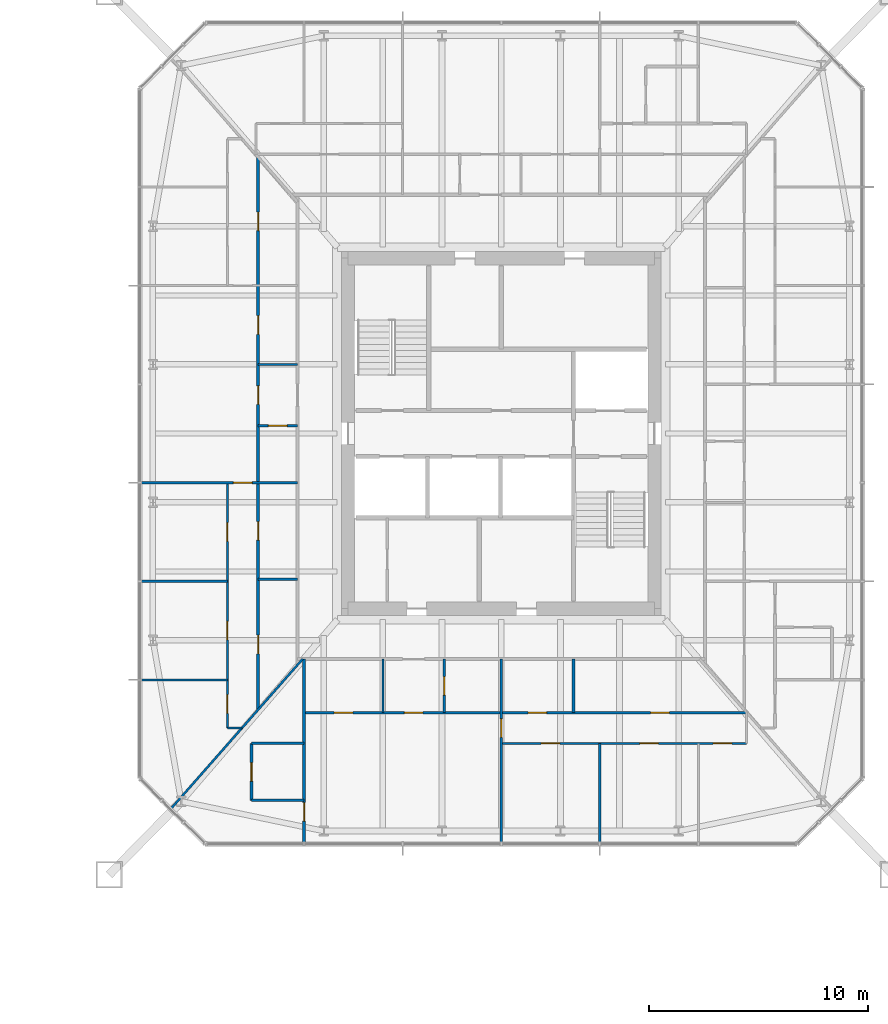
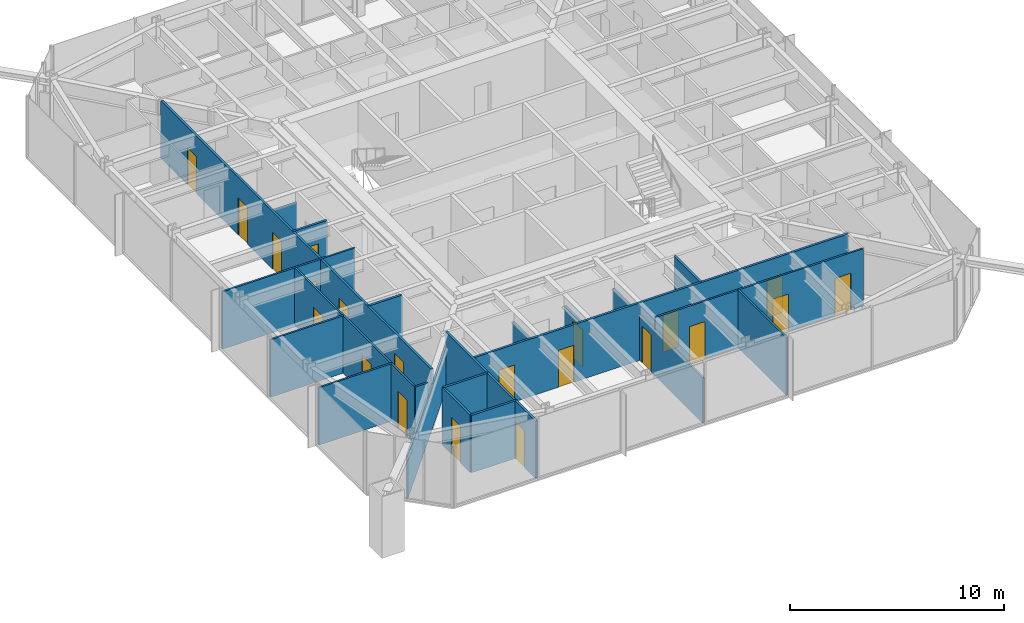
# One storey, part 18 of 26: 21 doors, 21 walls, 21 openings.
"""IFC4 building model written with IfcOpenShell, lengths in metres."""

from ifc_helpers import new_model, si_unit, direction, frame, frame_2d, origin, place, context, subcontext, project, spatial, rectangle, extrude, material, layer, layer_set, type_object, element, fill, save


model = new_model("IFC4")

# Units and contexts
model_context = context("Model", 3, precision=1e-05, world=origin(), true_north=direction((0.0, 1.0)))
body_context = subcontext(model_context, "Body", "Model", "MODEL_VIEW")
ifc_project = project(units=[si_unit("LENGTHUNIT", "METRE"), si_unit("AREAUNIT", "SQUARE_METRE"), si_unit("VOLUMEUNIT", "CUBIC_METRE"), si_unit("PLANEANGLEUNIT", "RADIAN"), si_unit("MASSUNIT", "GRAM", prefix="KILO")], contexts=[model_context])

# Site, building, storey
site_placement = place(None, origin())
site = spatial("IfcSite", under=ifc_project, at=site_placement, CompositionType="ELEMENT")
building_placement = place(site_placement, origin())
building = spatial("IfcBuilding", under=site, at=building_placement, Name="Iwan Alto Co-Living Towers", CompositionType="ELEMENT")
storey_placement = place(building_placement, frame((0.0, 0.0, 39.5)))
storey = spatial("IfcBuildingStorey", under=building, at=storey_placement, Name="L10", CompositionType="ELEMENT", Elevation=39.5)

# Wall, openings, doors
ifc_material_1 = material(Name="Gypsum board")
ifc_layer_1 = layer(ifc_material_1, 0.012451171875, Name="Board", Category="Finish")
ifc_material_2 = material(Name="Steel ASTM A1003 ST33H cold-formed studs", Category="steel")
ifc_layer_2 = layer(ifc_material_2, 0.074951171875, Name="Studs", Category="Framing")
ifc_layer_3 = layer(ifc_material_1, 0.012451171875, Name="Board", Category="Finish")
ifc_layer_set_1 = layer_set([ifc_layer_1, ifc_layer_2, ifc_layer_3], Name="PARTITION 100")
wall_type_1 = type_object("IfcWallType", Name="PARTITION 100", PredefinedType="PARTITIONING", material=ifc_layer_set_1)
wall_1_placement = place(storey_placement, frame((63.0, -14.14990234375, 0.0), z_axis=(0.0, 0.0, 1.0), x_axis=(1.0, 0.0, 0.0)))
wall_1 = element("IfcWall", 1, at=wall_1_placement, inside=storey, type_object=wall_type_1, Name="Partition L10", PredefinedType="PARTITIONING", context=body_context, shape_type="SweptSolid", body=[
    extrude(rectangle(XDim=11.199951171875, YDim=0.10009765625, at=frame_2d((5.60009765625, 0.0))), origin(), (0.0, 0.0, 1.0), 3.27001953125),
])
opening_1_placement = place(wall_1_placement, frame((1.824951171875, 0.0, 0.0)))
opening_1 = element("IfcOpeningElement", 2, at=opening_1_placement, cuts=wall_1, Name="Opening D2", PredefinedType="OPENING", context=body_context, shape_type="SweptSolid", body=[
    extrude(rectangle(XDim=0.85009765625, YDim=2.10009765625, at=frame_2d((0.425048828125, 1.050048828125))), frame((0.0, 0.06005859375, 0.0), z_axis=(0.0, -1.0, 0.0), x_axis=(1.0, 0.0, 0.0)), (0.0, 0.0, 1.0), 0.1201171875),
])
opening_2_placement = place(wall_1_placement, frame((6.324951171875, 0.0, 0.0)))
opening_2 = element("IfcOpeningElement", 3, at=opening_2_placement, cuts=wall_1, Name="Opening D2", PredefinedType="OPENING", context=body_context, shape_type="SweptSolid", body=[
    extrude(rectangle(XDim=0.85009765625, YDim=2.10009765625, at=frame_2d((0.425048828125, 1.050048828125))), frame((0.0, 0.06005859375, 0.0), z_axis=(0.0, -1.0, 0.0), x_axis=(1.0, 0.0, 0.0)), (0.0, 0.0, 1.0), 0.1201171875),
])
opening_3_placement = place(wall_1_placement, frame((9.675048828125, 0.0, 0.0)))
opening_3 = element("IfcOpeningElement", 4, at=opening_3_placement, cuts=wall_1, Name="Opening D2", PredefinedType="OPENING", context=body_context, shape_type="SweptSolid", body=[
    extrude(rectangle(XDim=0.85009765625, YDim=2.10009765625, at=frame_2d((0.425048828125, 1.050048828125))), frame((0.0, 0.06005859375, 0.0), z_axis=(0.0, -1.0, 0.0), x_axis=(1.0, 0.0, 0.0)), (0.0, 0.0, 1.0), 0.1201171875),
])
ifc_material_3 = material(Name="Timber leaf in steel frame", Category="steel")
door_type = type_object("IfcDoorType", Name="ROOM DOOR 850X2100", OperationType="SINGLE_SWING_LEFT", PredefinedType="DOOR", material=ifc_material_3)
door_1_placement = place(opening_1_placement, frame((0.85009765625, 0.0, 0.0), z_axis=(0.0, 0.0, 1.0), x_axis=(-1.0, 0.0, 0.0)))
door_1 = element("IfcDoor", 5, at=door_1_placement, inside=storey, type_object=door_type, Name="Study door L10", OperationType="SINGLE_SWING_RIGHT", OverallHeight=2.10009765625, OverallWidth=0.85009765625, PredefinedType="DOOR", context=body_context, shape_type="SweptSolid", body=[
    extrude(rectangle(XDim=0.85009765625, YDim=2.10009765625, at=frame_2d((0.425048828125, 1.050048828125))), frame((0.0, 0.02490234375, 0.0), z_axis=(0.0, -1.0, 0.0), x_axis=(1.0, 0.0, 0.0)), (0.0, 0.0, 1.0), 0.050048828125),
])
fill(opening_1, door_1)
door_2_placement = place(opening_2_placement, frame((0.85009765625, 0.0, 0.0), z_axis=(0.0, 0.0, 1.0), x_axis=(-1.0, 0.0, 0.0)))
door_2 = element("IfcDoor", 6, at=door_2_placement, inside=storey, type_object=door_type, Name="Bedroom door L10", OperationType="SINGLE_SWING_RIGHT", OverallHeight=2.10009765625, OverallWidth=0.85009765625, PredefinedType="DOOR", context=body_context, shape_type="SweptSolid", body=[
    extrude(rectangle(XDim=0.85009765625, YDim=2.10009765625, at=frame_2d((0.425048828125, 1.050048828125))), frame((0.0, 0.02490234375, 0.0), z_axis=(0.0, -1.0, 0.0), x_axis=(1.0, 0.0, 0.0)), (0.0, 0.0, 1.0), 0.050048828125),
])
fill(opening_2, door_2)
door_3_placement = place(opening_3_placement, frame((0.85009765625, 0.0, 0.0), z_axis=(0.0, 0.0, 1.0), x_axis=(-1.0, 0.0, 0.0)))
door_3 = element("IfcDoor", 7, at=door_3_placement, inside=storey, type_object=door_type, Name="Bedroom door L10", OperationType="SINGLE_SWING_RIGHT", OverallHeight=2.10009765625, OverallWidth=0.85009765625, PredefinedType="DOOR", context=body_context, shape_type="SweptSolid", body=[
    extrude(rectangle(XDim=0.85009765625, YDim=2.10009765625, at=frame_2d((0.425048828125, 1.050048828125))), frame((0.0, 0.02490234375, 0.0), z_axis=(0.0, -1.0, 0.0), x_axis=(1.0, 0.0, 0.0)), (0.0, 0.0, 1.0), 0.050048828125),
])
fill(opening_3, door_3)

# Walls
wall_2_placement = place(storey_placement, frame((50.5, -13.449951171875, 0.0), z_axis=(0.0, 0.0, 1.0), x_axis=(1.0, 0.0, 0.0)))
element("IfcWall", 8, at=wall_2_placement, inside=storey, type_object=wall_type_1, Name="Partition L10", PredefinedType="PARTITIONING", context=body_context, shape_type="SweptSolid", body=[
    extrude(rectangle(XDim=0.6640625, YDim=0.10009765625, at=frame_2d((0.33203125, 0.0))), origin(), (0.0, 0.0, 1.0), 3.27001953125),
])
for number, where, z_axis, x_axis, name in (
    (9, (46.56005859375, -11.25, 0.0), (0.0, 0.0, 1.0), (1.0, 0.0, 0.0), "Partition L10"),
    (10, (46.56005859375, -6.75, 0.0), (0.0, 0.0, 1.0), (1.0, 0.0, 0.0), "Partition L10"),
):
    element("IfcWall", number, at=place(storey_placement, frame(where, z_axis=z_axis, x_axis=x_axis)), inside=storey, type_object=wall_type_1, Name=name, PredefinedType="PARTITIONING", context=body_context, shape_type="SweptSolid", body=[
        extrude(rectangle(XDim=3.93994140625, YDim=0.10009765625, at=frame_2d((1.969970703125, 0.0))), origin(), (0.0, 0.0, 1.0), 3.27001953125),
    ])

# Wall, opening, door
wall_3_placement = place(storey_placement, frame((46.56005859375, -2.25, 0.0), z_axis=(0.0, 0.0, 1.0), x_axis=(1.0, 0.0, 0.0)))
wall_3 = element("IfcWall", 11, at=wall_3_placement, inside=storey, type_object=wall_type_1, Name="Partition L10", PredefinedType="PARTITIONING", context=body_context, shape_type="SweptSolid", body=[
    extrude(rectangle(XDim=7.139892578125, YDim=0.10009765625, at=frame_2d((3.56982421875, 0.0))), origin(), (0.0, 0.0, 1.0), 3.27001953125),
])
opening_4_placement = place(wall_3_placement, frame((4.215087890625, 0.0, 0.0)))
opening_4 = element("IfcOpeningElement", 12, at=opening_4_placement, cuts=wall_3, Name="Opening D2", PredefinedType="OPENING", context=body_context, shape_type="SweptSolid", body=[
    extrude(rectangle(XDim=0.85009765625, YDim=2.10009765625, at=frame_2d((0.425048828125, 1.050048828125))), frame((0.0, 0.06005859375, 0.0), z_axis=(0.0, -1.0, 0.0), x_axis=(1.0, 0.0, 0.0)), (0.0, 0.0, 1.0), 0.1201171875),
])
door_4_placement = place(opening_4_placement, origin())
door_4 = element("IfcDoor", 13, at=door_4_placement, inside=storey, type_object=door_type, Name="Apartment hall door L10", OperationType="SINGLE_SWING_RIGHT", OverallHeight=2.10009765625, OverallWidth=0.85009765625, PredefinedType="DOOR", context=body_context, shape_type="SweptSolid", body=[
    extrude(rectangle(XDim=0.85009765625, YDim=2.10009765625, at=frame_2d((0.425048828125, 1.050048828125))), frame((0.0, 0.02490234375, 0.0), z_axis=(0.0, -1.0, 0.0), x_axis=(1.0, 0.0, 0.0)), (0.0, 0.0, 1.0), 0.050048828125),
])
fill(opening_4, door_4)

# Walls
wall_4_placement = place(storey_placement, frame((51.89990234375, 3.14990234375, 0.0), z_axis=(0.0, 0.0, 1.0), x_axis=(1.0, 0.0, 0.0)))
element("IfcWall", 14, at=wall_4_placement, inside=storey, type_object=wall_type_1, Name="Partition L10", PredefinedType="PARTITIONING", context=body_context, shape_type="SweptSolid", body=[
    extrude(rectangle(XDim=1.800048828125, YDim=0.10009765625, at=frame_2d((0.89990234375, 0.0))), origin(), (0.0, 0.0, 1.0), 2.586669921875),
])
wall_5_placement = place(storey_placement, frame((47.944091796875, -17.10888671875, 0.0), z_axis=(0.0, 0.0, 1.0), x_axis=(0.660638210404, 0.750704439146, 0.0)))
element("IfcWall", 15, at=wall_5_placement, inside=storey, type_object=wall_type_1, Name="Partition L10", PredefinedType="PARTITIONING", context=body_context, shape_type="SweptSolid", body=[
    extrude(rectangle(XDim=9.06982421875, YDim=0.10009765625, at=frame_2d((4.534912109375, 0.0))), origin(), (0.0, 0.0, 1.0), 2.42919921875),
])
wall_6_placement = place(storey_placement, frame((67.5, -18.68994140625, 0.0), z_axis=(0.0, 0.0, 1.0), x_axis=(0.0, 1.0, 0.0)))
element("IfcWall", 16, at=wall_6_placement, inside=storey, type_object=wall_type_1, Name="Partition L10", PredefinedType="PARTITIONING", context=body_context, shape_type="SweptSolid", body=[
    extrude(rectangle(XDim=4.5400390625, YDim=0.10009765625, at=frame_2d((2.27001953125, 0.0))), origin(), (0.0, 0.0, 1.0), 3.27001953125),
])

# Wall, opening, door
wall_7_placement = place(storey_placement, frame((63.0, -18.68994140625, 0.0), z_axis=(0.0, 0.0, 1.0), x_axis=(0.0, 1.0, 0.0)))
wall_7 = element("IfcWall", 17, at=wall_7_placement, inside=storey, type_object=wall_type_1, Name="Partition L10", PredefinedType="PARTITIONING", context=body_context, shape_type="SweptSolid", body=[
    extrude(rectangle(XDim=8.389892578125, YDim=0.10009765625, at=frame_2d((4.19482421875, 0.0))), origin(), (0.0, 0.0, 1.0), 2.586669921875),
])
opening_5_placement = place(wall_7_placement, frame((4.81494140625, 0.0, 0.0)))
opening_5 = element("IfcOpeningElement", 18, at=opening_5_placement, cuts=wall_7, Name="Opening D2", PredefinedType="OPENING", context=body_context, shape_type="SweptSolid", body=[
    extrude(rectangle(XDim=0.85009765625, YDim=2.10009765625, at=frame_2d((0.425048828125, 1.050048828125))), frame((0.0, 0.06005859375, 0.0), z_axis=(0.0, -1.0, 0.0), x_axis=(1.0, 0.0, 0.0)), (0.0, 0.0, 1.0), 0.1201171875),
])
door_5_placement = place(opening_5_placement, origin())
door_5 = element("IfcDoor", 19, at=door_5_placement, inside=storey, type_object=door_type, Name="Apartment hall door L10", OperationType="SINGLE_SWING_RIGHT", OverallHeight=2.10009765625, OverallWidth=0.85009765625, PredefinedType="DOOR", context=body_context, shape_type="SweptSolid", body=[
    extrude(rectangle(XDim=0.85009765625, YDim=2.10009765625, at=frame_2d((0.425048828125, 1.050048828125))), frame((0.0, 0.02490234375, 0.0), z_axis=(0.0, -1.0, 0.0), x_axis=(1.0, 0.0, 0.0)), (0.0, 0.0, 1.0), 0.050048828125),
])
fill(opening_5, door_5)

# Wall
wall_8_placement = place(storey_placement, frame((57.60009765625, -12.75, 0.0), z_axis=(0.0, 0.0, 1.0), x_axis=(0.0, 1.0, 0.0)))
element("IfcWall", 20, at=wall_8_placement, inside=storey, type_object=wall_type_1, Name="Partition L10", PredefinedType="PARTITIONING", context=body_context, shape_type="SweptSolid", body=[
    extrude(rectangle(XDim=2.449951171875, YDim=0.10009765625, at=frame_2d((1.22509765625, 0.0))), origin(), (0.0, 0.0, 1.0), 2.586669921875),
])

# Wall, openings, doors
wall_9_placement = place(storey_placement, frame((50.5, -13.449951171875, 0.0), z_axis=(0.0, 0.0, 1.0), x_axis=(0.0, 1.0, 0.0)))
wall_9 = element("IfcWall", 21, at=wall_9_placement, inside=storey, type_object=wall_type_1, Name="Partition L10", PredefinedType="PARTITIONING", context=body_context, shape_type="SweptSolid", body=[
    extrude(rectangle(XDim=11.199951171875, YDim=0.10009765625, at=frame_2d((5.60009765625, 0.0))), origin(), (0.0, 0.0, 1.0), 3.27001953125),
])
opening_6_placement = place(wall_9_placement, frame((8.52490234375, 0.0, 0.0)))
opening_6 = element("IfcOpeningElement", 22, at=opening_6_placement, cuts=wall_9, Name="Opening D2", PredefinedType="OPENING", context=body_context, shape_type="SweptSolid", body=[
    extrude(rectangle(XDim=0.85009765625, YDim=2.10009765625, at=frame_2d((0.425048828125, 1.050048828125))), frame((0.0, 0.06005859375, 0.0), z_axis=(0.0, -1.0, 0.0), x_axis=(1.0, 0.0, 0.0)), (0.0, 0.0, 1.0), 0.1201171875),
])
opening_7_placement = place(wall_9_placement, frame((4.02490234375, 0.0, 0.0)))
opening_7 = element("IfcOpeningElement", 23, at=opening_7_placement, cuts=wall_9, Name="Opening D2", PredefinedType="OPENING", context=body_context, shape_type="SweptSolid", body=[
    extrude(rectangle(XDim=0.85009765625, YDim=2.10009765625, at=frame_2d((0.425048828125, 1.050048828125))), frame((0.0, 0.06005859375, 0.0), z_axis=(0.0, -1.0, 0.0), x_axis=(1.0, 0.0, 0.0)), (0.0, 0.0, 1.0), 0.1201171875),
])
opening_8_placement = place(wall_9_placement, frame((0.675048828125, 0.0, 0.0)))
opening_8 = element("IfcOpeningElement", 24, at=opening_8_placement, cuts=wall_9, Name="Opening D2", PredefinedType="OPENING", context=body_context, shape_type="SweptSolid", body=[
    extrude(rectangle(XDim=0.85009765625, YDim=2.10009765625, at=frame_2d((0.425048828125, 1.050048828125))), frame((0.0, 0.06005859375, 0.0), z_axis=(0.0, -1.0, 0.0), x_axis=(1.0, 0.0, 0.0)), (0.0, 0.0, 1.0), 0.1201171875),
])
door_6_placement = place(opening_6_placement, origin())
door_6 = element("IfcDoor", 25, at=door_6_placement, inside=storey, type_object=door_type, Name="Family room door L10", OperationType="SINGLE_SWING_LEFT", OverallHeight=2.10009765625, OverallWidth=0.85009765625, PredefinedType="DOOR", context=body_context, shape_type="SweptSolid", body=[
    extrude(rectangle(XDim=0.85009765625, YDim=2.10009765625, at=frame_2d((0.425048828125, 1.050048828125))), frame((0.0, 0.02490234375, 0.0), z_axis=(0.0, -1.0, 0.0), x_axis=(1.0, 0.0, 0.0)), (0.0, 0.0, 1.0), 0.050048828125),
])
fill(opening_6, door_6)
door_7_placement = place(opening_7_placement, origin())
door_7 = element("IfcDoor", 26, at=door_7_placement, inside=storey, type_object=door_type, Name="Bedroom door L10", OperationType="SINGLE_SWING_LEFT", OverallHeight=2.10009765625, OverallWidth=0.85009765625, PredefinedType="DOOR", context=body_context, shape_type="SweptSolid", body=[
    extrude(rectangle(XDim=0.85009765625, YDim=2.10009765625, at=frame_2d((0.425048828125, 1.050048828125))), frame((0.0, 0.02490234375, 0.0), z_axis=(0.0, -1.0, 0.0), x_axis=(1.0, 0.0, 0.0)), (0.0, 0.0, 1.0), 0.050048828125),
])
fill(opening_7, door_7)
door_8_placement = place(opening_8_placement, origin())
door_8 = element("IfcDoor", 27, at=door_8_placement, inside=storey, type_object=door_type, Name="Bedroom door L10", OperationType="SINGLE_SWING_RIGHT", OverallHeight=2.10009765625, OverallWidth=0.85009765625, PredefinedType="DOOR", context=body_context, shape_type="SweptSolid", body=[
    extrude(rectangle(XDim=0.85009765625, YDim=2.10009765625, at=frame_2d((0.425048828125, 1.050048828125))), frame((0.0, 0.02490234375, 0.0), z_axis=(0.0, -1.0, 0.0), x_axis=(1.0, 0.0, 0.0)), (0.0, 0.0, 1.0), 0.050048828125),
])
fill(opening_8, door_8)

# Walls
ifc_material_4 = material(Name="Cement board")
ifc_layer_4 = layer(ifc_material_4, 0.012451171875, Name="Board", Category="Finish")
ifc_layer_5 = layer(ifc_material_2, 0.094970703125, Name="Studs", Category="Framing")
ifc_layer_6 = layer(ifc_material_4, 0.012451171875, Name="Board", Category="Finish")
ifc_layer_set_2 = layer_set([ifc_layer_4, ifc_layer_5, ifc_layer_6], Name="WET AREA PARTITION 120")
wall_type_2 = type_object("IfcWallType", Name="WET AREA PARTITION 120", PredefinedType="PARTITIONING", material=ifc_layer_set_2)
for number, where, z_axis, x_axis, name in (
    (28, (51.60009765625, -16.75, 0.0), (0.0, 0.0, 1.0), (1.0, 0.0, 0.0), "Partition L10"),
    (29, (51.60009765625, -14.14990234375, 0.0), (0.0, 0.0, 1.0), (1.0, 0.0, 0.0), "Partition L10"),
):
    element("IfcWall", number, at=place(storey_placement, frame(where, z_axis=z_axis, x_axis=x_axis)), inside=storey, type_object=wall_type_2, Name=name, PredefinedType="PARTITIONING", context=body_context, shape_type="SweptSolid", body=[
        extrude(rectangle(XDim=2.39990234375, YDim=0.1201171875, at=frame_2d((1.199951171875, 0.0))), origin(), (0.0, 0.0, 1.0), 3.27001953125),
    ])

# Wall, openings, doors
wall_10_placement = place(storey_placement, frame((54.0, -12.75, 0.0), z_axis=(0.0, 0.0, 1.0), x_axis=(1.0, 0.0, 0.0)))
wall_10 = element("IfcWall", 30, at=wall_10_placement, inside=storey, type_object=wall_type_2, Name="Partition L10", PredefinedType="PARTITIONING", context=body_context, shape_type="SweptSolid", body=[
    extrude(rectangle(XDim=20.199951171875, YDim=0.1201171875, at=frame_2d((10.10009765625, 0.0))), origin(), (0.0, 0.0, 1.0), 3.27001953125),
])
opening_9_placement = place(wall_10_placement, frame((1.375, 0.0, 0.0)))
opening_9 = element("IfcOpeningElement", 31, at=opening_9_placement, cuts=wall_10, Name="Opening D2", PredefinedType="OPENING", context=body_context, shape_type="SweptSolid", body=[
    extrude(rectangle(XDim=0.85009765625, YDim=2.10009765625, at=frame_2d((0.425048828125, 1.050048828125))), frame((0.0, 0.070068359375, 0.0), z_axis=(0.0, -1.0, 0.0), x_axis=(1.0, 0.0, 0.0)), (0.0, 0.0, 1.0), 0.14013671875),
])
opening_10_placement = place(wall_10_placement, frame((4.574951171875, 0.0, 0.0)))
opening_10 = element("IfcOpeningElement", 32, at=opening_10_placement, cuts=wall_10, Name="Opening D2", PredefinedType="OPENING", context=body_context, shape_type="SweptSolid", body=[
    extrude(rectangle(XDim=0.85009765625, YDim=2.10009765625, at=frame_2d((0.425048828125, 1.050048828125))), frame((0.0, 0.070068359375, 0.0), z_axis=(0.0, -1.0, 0.0), x_axis=(1.0, 0.0, 0.0)), (0.0, 0.0, 1.0), 0.14013671875),
])
opening_11_placement = place(wall_10_placement, frame((10.22509765625, 0.0, 0.0)))
opening_11 = element("IfcOpeningElement", 33, at=opening_11_placement, cuts=wall_10, Name="Opening D2", PredefinedType="OPENING", context=body_context, shape_type="SweptSolid", body=[
    extrude(rectangle(XDim=0.85009765625, YDim=2.10009765625, at=frame_2d((0.425048828125, 1.050048828125))), frame((0.0, 0.070068359375, 0.0), z_axis=(0.0, -1.0, 0.0), x_axis=(1.0, 0.0, 0.0)), (0.0, 0.0, 1.0), 0.14013671875),
])
opening_12_placement = place(wall_10_placement, frame((15.824951171875, 0.0, 0.0)))
opening_12 = element("IfcOpeningElement", 34, at=opening_12_placement, cuts=wall_10, Name="Opening D2", PredefinedType="OPENING", context=body_context, shape_type="SweptSolid", body=[
    extrude(rectangle(XDim=0.85009765625, YDim=2.10009765625, at=frame_2d((0.425048828125, 1.050048828125))), frame((0.0, 0.070068359375, 0.0), z_axis=(0.0, -1.0, 0.0), x_axis=(1.0, 0.0, 0.0)), (0.0, 0.0, 1.0), 0.14013671875),
])
door_9_placement = place(opening_9_placement, frame((0.85009765625, 0.0, 0.0), z_axis=(0.0, 0.0, 1.0), x_axis=(-1.0, 0.0, 0.0)))
door_9 = element("IfcDoor", 35, at=door_9_placement, inside=storey, type_object=door_type, Name="Kitchen door L10", OperationType="SINGLE_SWING_RIGHT", OverallHeight=2.10009765625, OverallWidth=0.85009765625, PredefinedType="DOOR", context=body_context, shape_type="SweptSolid", body=[
    extrude(rectangle(XDim=0.85009765625, YDim=2.10009765625, at=frame_2d((0.425048828125, 1.050048828125))), frame((0.0, 0.02490234375, 0.0), z_axis=(0.0, -1.0, 0.0), x_axis=(1.0, 0.0, 0.0)), (0.0, 0.0, 1.0), 0.050048828125),
])
fill(opening_9, door_9)
door_10_placement = place(opening_10_placement, frame((0.85009765625, 0.0, 0.0), z_axis=(0.0, 0.0, 1.0), x_axis=(-1.0, 0.0, 0.0)))
door_10 = element("IfcDoor", 36, at=door_10_placement, inside=storey, type_object=door_type, Name="Apartment foyer door L10", OperationType="SINGLE_SWING_LEFT", OverallHeight=2.10009765625, OverallWidth=0.85009765625, PredefinedType="DOOR", context=body_context, shape_type="SweptSolid", body=[
    extrude(rectangle(XDim=0.85009765625, YDim=2.10009765625, at=frame_2d((0.425048828125, 1.050048828125))), frame((0.0, 0.02490234375, 0.0), z_axis=(0.0, -1.0, 0.0), x_axis=(1.0, 0.0, 0.0)), (0.0, 0.0, 1.0), 0.050048828125),
])
fill(opening_10, door_10)
door_11_placement = place(opening_11_placement, origin())
door_11 = element("IfcDoor", 37, at=door_11_placement, inside=storey, type_object=door_type, Name="Utility room door L10", OperationType="SINGLE_SWING_LEFT", OverallHeight=2.10009765625, OverallWidth=0.85009765625, PredefinedType="DOOR", context=body_context, shape_type="SweptSolid", body=[
    extrude(rectangle(XDim=0.85009765625, YDim=2.10009765625, at=frame_2d((0.425048828125, 1.050048828125))), frame((0.0, 0.02490234375, 0.0), z_axis=(0.0, -1.0, 0.0), x_axis=(1.0, 0.0, 0.0)), (0.0, 0.0, 1.0), 0.050048828125),
])
fill(opening_11, door_11)
door_12_placement = place(opening_12_placement, origin())
door_12 = element("IfcDoor", 38, at=door_12_placement, inside=storey, type_object=door_type, Name="Store room door L10", OperationType="SINGLE_SWING_RIGHT", OverallHeight=2.10009765625, OverallWidth=0.85009765625, PredefinedType="DOOR", context=body_context, shape_type="SweptSolid", body=[
    extrude(rectangle(XDim=0.85009765625, YDim=2.10009765625, at=frame_2d((0.425048828125, 1.050048828125))), frame((0.0, 0.02490234375, 0.0), z_axis=(0.0, -1.0, 0.0), x_axis=(1.0, 0.0, 0.0)), (0.0, 0.0, 1.0), 0.050048828125),
])
fill(opening_12, door_12)

# Wall
wall_11_placement = place(storey_placement, frame((51.89990234375, -6.64990234375, 0.0), z_axis=(0.0, 0.0, 1.0), x_axis=(1.0, 0.0, 0.0)))
element("IfcWall", 39, at=wall_11_placement, inside=storey, type_object=wall_type_2, Name="Partition L10", PredefinedType="PARTITIONING", context=body_context, shape_type="SweptSolid", body=[
    extrude(rectangle(XDim=1.800048828125, YDim=0.1201171875, at=frame_2d((0.89990234375, 0.0))), origin(), (0.0, 0.0, 1.0), 3.27001953125),
])

# Wall, opening, door
wall_12_placement = place(storey_placement, frame((51.89990234375, 0.35009765625, 0.0), z_axis=(0.0, 0.0, 1.0), x_axis=(1.0, 0.0, 0.0)))
wall_12 = element("IfcWall", 40, at=wall_12_placement, inside=storey, type_object=wall_type_2, Name="Partition L10", PredefinedType="PARTITIONING", context=body_context, shape_type="SweptSolid", body=[
    extrude(rectangle(XDim=1.800048828125, YDim=0.1201171875, at=frame_2d((0.89990234375, 0.0))), origin(), (0.0, 0.0, 1.0), 3.27001953125),
])
opening_13_placement = place(wall_12_placement, frame((0.47509765625, 0.0, 0.0)))
opening_13 = element("IfcOpeningElement", 41, at=opening_13_placement, cuts=wall_12, Name="Opening D2", PredefinedType="OPENING", context=body_context, shape_type="SweptSolid", body=[
    extrude(rectangle(XDim=0.85009765625, YDim=2.10009765625, at=frame_2d((0.425048828125, 1.050048828125))), frame((0.0, 0.070068359375, 0.0), z_axis=(0.0, -1.0, 0.0), x_axis=(1.0, 0.0, 0.0)), (0.0, 0.0, 1.0), 0.14013671875),
])
door_13_placement = place(opening_13_placement, frame((0.85009765625, 0.0, 0.0), z_axis=(0.0, 0.0, 1.0), x_axis=(-1.0, 0.0, 0.0)))
door_13 = element("IfcDoor", 42, at=door_13_placement, inside=storey, type_object=door_type, Name="Bathroom door L10", OperationType="SINGLE_SWING_RIGHT", OverallHeight=2.10009765625, OverallWidth=0.85009765625, PredefinedType="DOOR", context=body_context, shape_type="SweptSolid", body=[
    extrude(rectangle(XDim=0.85009765625, YDim=2.10009765625, at=frame_2d((0.425048828125, 1.050048828125))), frame((0.0, 0.02490234375, 0.0), z_axis=(0.0, -1.0, 0.0), x_axis=(1.0, 0.0, 0.0)), (0.0, 0.0, 1.0), 0.050048828125),
])
fill(opening_13, door_13)

# Wall
wall_13_placement = place(storey_placement, frame((66.300048828125, -12.75, 0.0), z_axis=(0.0, 0.0, 1.0), x_axis=(0.0, 1.0, 0.0)))
element("IfcWall", 43, at=wall_13_placement, inside=storey, type_object=wall_type_2, Name="Partition L10", PredefinedType="PARTITIONING", context=body_context, shape_type="SweptSolid", body=[
    extrude(rectangle(XDim=2.449951171875, YDim=0.1201171875, at=frame_2d((1.22509765625, 0.0))), origin(), (0.0, 0.0, 1.0), 3.27001953125),
])

# Wall, opening, door
wall_14_placement = place(storey_placement, frame((60.39990234375, -12.75, 0.0), z_axis=(0.0, 0.0, 1.0), x_axis=(0.0, 1.0, 0.0)))
wall_14 = element("IfcWall", 44, at=wall_14_placement, inside=storey, type_object=wall_type_2, Name="Partition L10", PredefinedType="PARTITIONING", context=body_context, shape_type="SweptSolid", body=[
    extrude(rectangle(XDim=2.449951171875, YDim=0.1201171875, at=frame_2d((1.22509765625, 0.0))), origin(), (0.0, 0.0, 1.0), 2.508056640625),
])
opening_14_placement = place(wall_14_placement, frame((0.800048828125, 0.0, 0.0)))
opening_14 = element("IfcOpeningElement", 45, at=opening_14_placement, cuts=wall_14, Name="Opening D2", PredefinedType="OPENING", context=body_context, shape_type="SweptSolid", body=[
    extrude(rectangle(XDim=0.85009765625, YDim=2.10009765625, at=frame_2d((0.425048828125, 1.050048828125))), frame((0.0, 0.070068359375, 0.0), z_axis=(0.0, -1.0, 0.0), x_axis=(1.0, 0.0, 0.0)), (0.0, 0.0, 1.0), 0.14013671875),
])
door_14_placement = place(opening_14_placement, frame((0.85009765625, 0.0, 0.0), z_axis=(0.0, 0.0, 1.0), x_axis=(-1.0, 0.0, 0.0)))
door_14 = element("IfcDoor", 46, at=door_14_placement, inside=storey, type_object=door_type, Name="Bathroom door L10", OperationType="SINGLE_SWING_RIGHT", OverallHeight=2.10009765625, OverallWidth=0.85009765625, PredefinedType="DOOR", context=body_context, shape_type="SweptSolid", body=[
    extrude(rectangle(XDim=0.85009765625, YDim=2.10009765625, at=frame_2d((0.425048828125, 1.050048828125))), frame((0.0, 0.02490234375, 0.0), z_axis=(0.0, -1.0, 0.0), x_axis=(1.0, 0.0, 0.0)), (0.0, 0.0, 1.0), 0.050048828125),
])
fill(opening_14, door_14)

wall_15_placement = place(storey_placement, frame((54.0, -18.68994140625, 0.0), z_axis=(0.0, 0.0, 1.0), x_axis=(0.0, 1.0, 0.0)))
wall_15 = element("IfcWall", 47, at=wall_15_placement, inside=storey, type_object=wall_type_2, Name="Partition L10", PredefinedType="PARTITIONING", context=body_context, shape_type="SweptSolid", body=[
    extrude(rectangle(XDim=8.389892578125, YDim=0.1201171875, at=frame_2d((4.19482421875, 0.0))), origin(), (0.0, 0.0, 1.0), 3.27001953125),
])
opening_15_placement = place(wall_15_placement, frame((0.989990234375, 0.0, 0.0)))
opening_15 = element("IfcOpeningElement", 48, at=opening_15_placement, cuts=wall_15, Name="Opening D2", PredefinedType="OPENING", context=body_context, shape_type="SweptSolid", body=[
    extrude(rectangle(XDim=0.85009765625, YDim=2.10009765625, at=frame_2d((0.425048828125, 1.050048828125))), frame((0.0, 0.070068359375, 0.0), z_axis=(0.0, -1.0, 0.0), x_axis=(1.0, 0.0, 0.0)), (0.0, 0.0, 1.0), 0.14013671875),
])
door_15_placement = place(opening_15_placement, frame((0.85009765625, 0.0, 0.0), z_axis=(0.0, 0.0, 1.0), x_axis=(-1.0, 0.0, 0.0)))
door_15 = element("IfcDoor", 49, at=door_15_placement, inside=storey, type_object=door_type, Name="Bedroom door L10", OperationType="SINGLE_SWING_RIGHT", OverallHeight=2.10009765625, OverallWidth=0.85009765625, PredefinedType="DOOR", context=body_context, shape_type="SweptSolid", body=[
    extrude(rectangle(XDim=0.85009765625, YDim=2.10009765625, at=frame_2d((0.425048828125, 1.050048828125))), frame((0.0, 0.02490234375, 0.0), z_axis=(0.0, -1.0, 0.0), x_axis=(1.0, 0.0, 0.0)), (0.0, 0.0, 1.0), 0.050048828125),
])
fill(opening_15, door_15)

# Wall, openings, doors
wall_16_placement = place(storey_placement, frame((51.89990234375, -12.614013671875, 0.0), z_axis=(0.0, 0.0, 1.0), x_axis=(0.0, 1.0, 0.0)))
wall_16 = element("IfcWall", 50, at=wall_16_placement, inside=storey, type_object=wall_type_2, Name="Partition L10", PredefinedType="PARTITIONING", context=body_context, shape_type="SweptSolid", body=[
    extrude(rectangle(XDim=25.22802734375, YDim=0.1201171875, at=frame_2d((12.614013671875, 0.0))), origin(), (0.0, 0.0, 1.0), 3.27001953125),
])
opening_16_placement = place(wall_16_placement, frame((17.138916015625, 0.0, 0.0)))
opening_16 = element("IfcOpeningElement", 51, at=opening_16_placement, cuts=wall_16, Name="Opening D2", PredefinedType="OPENING", context=body_context, shape_type="SweptSolid", body=[
    extrude(rectangle(XDim=0.85009765625, YDim=2.10009765625, at=frame_2d((0.425048828125, 1.050048828125))), frame((0.0, 0.070068359375, 0.0), z_axis=(0.0, -1.0, 0.0), x_axis=(1.0, 0.0, 0.0)), (0.0, 0.0, 1.0), 0.14013671875),
])
opening_17_placement = place(wall_16_placement, frame((13.93896484375, 0.0, 0.0)))
opening_17 = element("IfcOpeningElement", 52, at=opening_17_placement, cuts=wall_16, Name="Opening D2", PredefinedType="OPENING", context=body_context, shape_type="SweptSolid", body=[
    extrude(rectangle(XDim=0.85009765625, YDim=2.10009765625, at=frame_2d((0.425048828125, 1.050048828125))), frame((0.0, 0.070068359375, 0.0), z_axis=(0.0, -1.0, 0.0), x_axis=(1.0, 0.0, 0.0)), (0.0, 0.0, 1.0), 0.14013671875),
])
opening_18_placement = place(wall_16_placement, frame((21.87109375, 0.0, 0.0)))
opening_18 = element("IfcOpeningElement", 53, at=opening_18_placement, cuts=wall_16, Name="Opening D2", PredefinedType="OPENING", context=body_context, shape_type="SweptSolid", body=[
    extrude(rectangle(XDim=0.85009765625, YDim=2.10009765625, at=frame_2d((0.425048828125, 1.050048828125))), frame((0.0, 0.070068359375, 0.0), z_axis=(0.0, -1.0, 0.0), x_axis=(1.0, 0.0, 0.0)), (0.0, 0.0, 1.0), 0.14013671875),
])
opening_19_placement = place(wall_16_placement, frame((7.739013671875, 0.0, 0.0)))
opening_19 = element("IfcOpeningElement", 54, at=opening_19_placement, cuts=wall_16, Name="Opening D2", PredefinedType="OPENING", context=body_context, shape_type="SweptSolid", body=[
    extrude(rectangle(XDim=0.85009765625, YDim=2.10009765625, at=frame_2d((0.425048828125, 1.050048828125))), frame((0.0, 0.070068359375, 0.0), z_axis=(0.0, -1.0, 0.0), x_axis=(1.0, 0.0, 0.0)), (0.0, 0.0, 1.0), 0.14013671875),
])
opening_20_placement = place(wall_16_placement, frame((2.556884765625, 0.0, 0.0)))
opening_20 = element("IfcOpeningElement", 55, at=opening_20_placement, cuts=wall_16, Name="Opening D2", PredefinedType="OPENING", context=body_context, shape_type="SweptSolid", body=[
    extrude(rectangle(XDim=0.85009765625, YDim=2.10009765625, at=frame_2d((0.425048828125, 1.050048828125))), frame((0.0, 0.070068359375, 0.0), z_axis=(0.0, -1.0, 0.0), x_axis=(1.0, 0.0, 0.0)), (0.0, 0.0, 1.0), 0.14013671875),
])
door_16_placement = place(opening_16_placement, origin())
door_16 = element("IfcDoor", 56, at=door_16_placement, inside=storey, type_object=door_type, Name="Kitchen door L10", OperationType="SINGLE_SWING_RIGHT", OverallHeight=2.10009765625, OverallWidth=0.85009765625, PredefinedType="DOOR", context=body_context, shape_type="SweptSolid", body=[
    extrude(rectangle(XDim=0.85009765625, YDim=2.10009765625, at=frame_2d((0.425048828125, 1.050048828125))), frame((0.0, 0.02490234375, 0.0), z_axis=(0.0, -1.0, 0.0), x_axis=(1.0, 0.0, 0.0)), (0.0, 0.0, 1.0), 0.050048828125),
])
fill(opening_16, door_16)
door_17_placement = place(opening_17_placement, origin())
door_17 = element("IfcDoor", 57, at=door_17_placement, inside=storey, type_object=door_type, Name="Apartment foyer door L10", OperationType="SINGLE_SWING_LEFT", OverallHeight=2.10009765625, OverallWidth=0.85009765625, PredefinedType="DOOR", context=body_context, shape_type="SweptSolid", body=[
    extrude(rectangle(XDim=0.85009765625, YDim=2.10009765625, at=frame_2d((0.425048828125, 1.050048828125))), frame((0.0, 0.02490234375, 0.0), z_axis=(0.0, -1.0, 0.0), x_axis=(1.0, 0.0, 0.0)), (0.0, 0.0, 1.0), 0.050048828125),
])
fill(opening_17, door_17)
door_18_placement = place(opening_18_placement, frame((0.85009765625, 0.0, 0.0), z_axis=(0.0, 0.0, 1.0), x_axis=(-1.0, 0.0, 0.0)))
door_18 = element("IfcDoor", 58, at=door_18_placement, inside=storey, type_object=door_type, Name="Utility room door L10", OperationType="SINGLE_SWING_LEFT", OverallHeight=2.10009765625, OverallWidth=0.85009765625, PredefinedType="DOOR", context=body_context, shape_type="SweptSolid", body=[
    extrude(rectangle(XDim=0.85009765625, YDim=2.10009765625, at=frame_2d((0.425048828125, 1.050048828125))), frame((0.0, 0.02490234375, 0.0), z_axis=(0.0, -1.0, 0.0), x_axis=(1.0, 0.0, 0.0)), (0.0, 0.0, 1.0), 0.050048828125),
])
fill(opening_18, door_18)
door_19_placement = place(opening_19_placement, frame((0.85009765625, 0.0, 0.0), z_axis=(0.0, 0.0, 1.0), x_axis=(-1.0, 0.0, 0.0)))
door_19 = element("IfcDoor", 59, at=door_19_placement, inside=storey, type_object=door_type, Name="Utility room door L10", OperationType="SINGLE_SWING_RIGHT", OverallHeight=2.10009765625, OverallWidth=0.85009765625, PredefinedType="DOOR", context=body_context, shape_type="SweptSolid", body=[
    extrude(rectangle(XDim=0.85009765625, YDim=2.10009765625, at=frame_2d((0.425048828125, 1.050048828125))), frame((0.0, 0.02490234375, 0.0), z_axis=(0.0, -1.0, 0.0), x_axis=(1.0, 0.0, 0.0)), (0.0, 0.0, 1.0), 0.050048828125),
])
fill(opening_19, door_19)
door_20_placement = place(opening_20_placement, frame((0.85009765625, 0.0, 0.0), z_axis=(0.0, 0.0, 1.0), x_axis=(-1.0, 0.0, 0.0)))
door_20 = element("IfcDoor", 60, at=door_20_placement, inside=storey, type_object=door_type, Name="Store room door L10", OperationType="SINGLE_SWING_RIGHT", OverallHeight=2.10009765625, OverallWidth=0.85009765625, PredefinedType="DOOR", context=body_context, shape_type="SweptSolid", body=[
    extrude(rectangle(XDim=0.85009765625, YDim=2.10009765625, at=frame_2d((0.425048828125, 1.050048828125))), frame((0.0, 0.02490234375, 0.0), z_axis=(0.0, -1.0, 0.0), x_axis=(1.0, 0.0, 0.0)), (0.0, 0.0, 1.0), 0.050048828125),
])
fill(opening_20, door_20)

# Wall, opening, door
wall_17_placement = place(storey_placement, frame((51.60009765625, -16.75, 0.0), z_axis=(0.0, 0.0, 1.0), x_axis=(0.0, 1.0, 0.0)))
wall_17 = element("IfcWall", 61, at=wall_17_placement, inside=storey, type_object=wall_type_2, Name="Partition L10", PredefinedType="PARTITIONING", context=body_context, shape_type="SweptSolid", body=[
    extrude(rectangle(XDim=2.60009765625, YDim=0.1201171875, at=frame_2d((1.300048828125, 0.0))), origin(), (0.0, 0.0, 1.0), 3.27001953125),
])
opening_21_placement = place(wall_17_placement, frame((0.875, 0.0, 0.0)))
opening_21 = element("IfcOpeningElement", 62, at=opening_21_placement, cuts=wall_17, Name="Opening D2", PredefinedType="OPENING", context=body_context, shape_type="SweptSolid", body=[
    extrude(rectangle(XDim=0.85009765625, YDim=2.10009765625, at=frame_2d((0.425048828125, 1.050048828125))), frame((0.0, 0.070068359375, 0.0), z_axis=(0.0, -1.0, 0.0), x_axis=(1.0, 0.0, 0.0)), (0.0, 0.0, 1.0), 0.14013671875),
])
door_21_placement = place(opening_21_placement, origin())
door_21 = element("IfcDoor", 63, at=door_21_placement, inside=storey, type_object=door_type, Name="En-suite shower room door L10", OperationType="SINGLE_SWING_RIGHT", OverallHeight=2.10009765625, OverallWidth=0.85009765625, PredefinedType="DOOR", context=body_context, shape_type="SweptSolid", body=[
    extrude(rectangle(XDim=0.85009765625, YDim=2.10009765625, at=frame_2d((0.425048828125, 1.050048828125))), frame((0.0, 0.02490234375, 0.0), z_axis=(0.0, -1.0, 0.0), x_axis=(1.0, 0.0, 0.0)), (0.0, 0.0, 1.0), 0.050048828125),
])
fill(opening_21, door_21)

save(model, "model.ifc")
